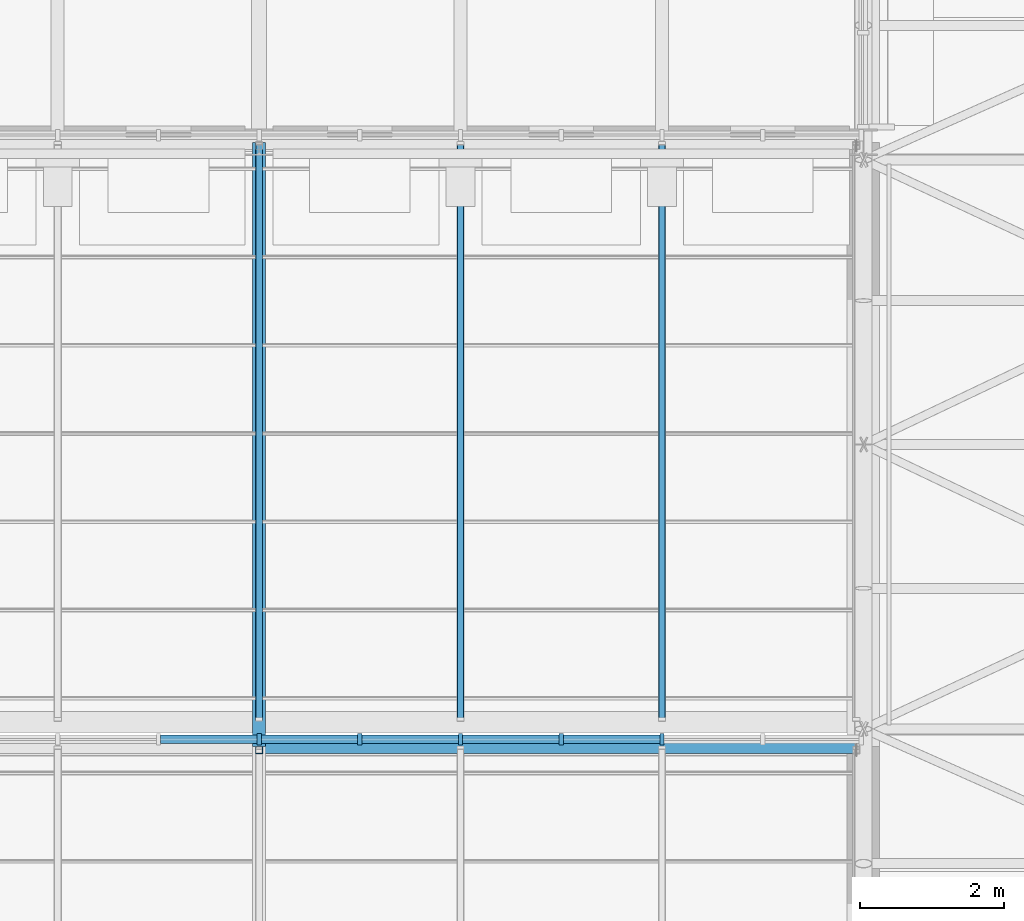
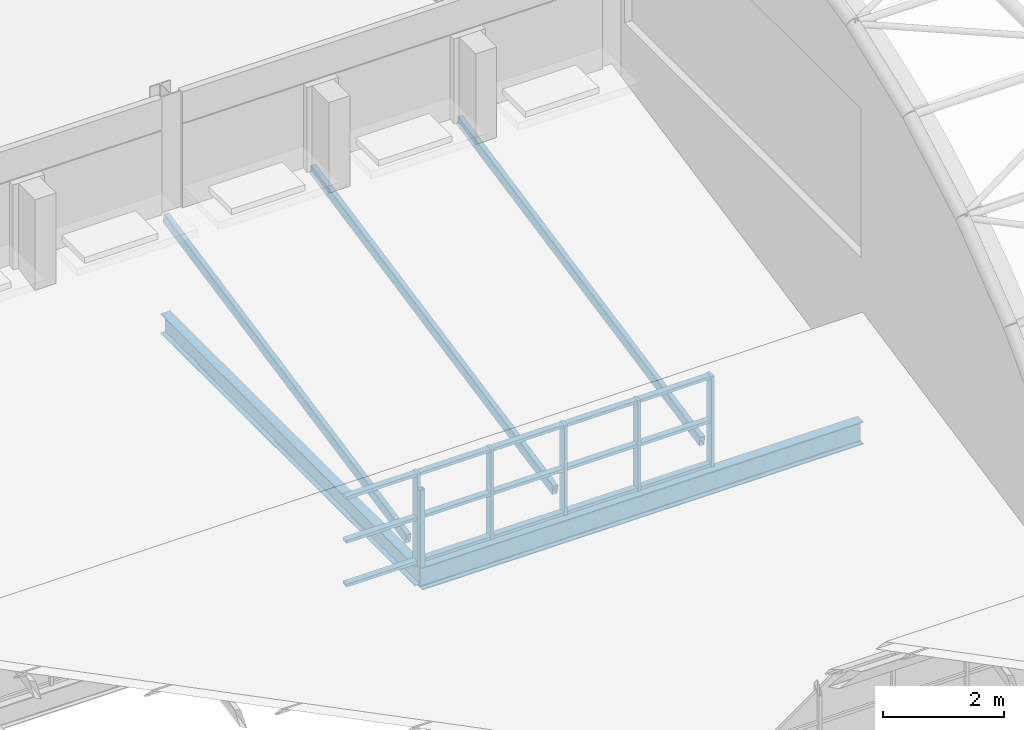
# One storey, part 35 of 121: 24 members, 2 beams, 1 element without a shape of its own.
"""IFC4 building model written with IfcOpenShell, lengths in metres."""

from ifc_helpers import new_model, si_unit, direction, frame, origin, origin_2d, place, context, subcontext, project, spatial, rectangle, hollow_rectangle, i_section, extrude, material, layer, layer_set, material_profile, profile_set, type_object, element, aggregate, save


model = new_model("IFC4")

# Units and contexts
model_context = context("Model", 3, precision=1e-05, world=origin(), true_north=direction((0.0, 1.0)))
body_context = subcontext(model_context, "Body", "Model", "MODEL_VIEW")
ifc_project = project(units=[si_unit("LENGTHUNIT", "METRE"), si_unit("AREAUNIT", "SQUARE_METRE"), si_unit("VOLUMEUNIT", "CUBIC_METRE"), si_unit("PLANEANGLEUNIT", "RADIAN"), si_unit("MASSUNIT", "GRAM", prefix="KILO")], contexts=[model_context])

# Site, building, storey
site_placement = place(None, origin())
site = spatial("IfcSite", under=ifc_project, at=site_placement, CompositionType="ELEMENT")
building_placement = place(site_placement, origin())
building = spatial("IfcBuilding", under=site, at=building_placement, Name="Ardhachandra Cancer Care Centre", CompositionType="ELEMENT")
storey_placement = place(building_placement, frame((0.0, 0.0, 9.0)))
storey = spatial("IfcBuildingStorey", under=building, at=storey_placement, Name="L02", CompositionType="ELEMENT", Elevation=9.0)

# Beams
ifc_material_1 = material(Name="Steel E350 (IS 2062)", Category="steel")
ifc_material_profile_1 = material_profile(ifc_material_1, i_section(OverallWidth=0.179931640625, OverallDepth=0.39990234375, WebThickness=0.008544921875, FlangeThickness=0.013427734375, FilletRadius=0.02099609375, at=origin_2d()), Name="NPB 400x180x66.30")
ifc_profile_set_1 = profile_set([ifc_material_profile_1], Name="Steel E350 (IS 2062)")
beam_type_1 = type_object("IfcBeamType", Name="Beam NPB 400x180x66.30", PredefinedType="BEAM", material=ifc_profile_set_1)
beam_1_placement = place(storey_placement, frame((36.0, 63.0, -0.199951171875), z_axis=(0.0, 1.0, 0.0), x_axis=(-1.0, 0.0, 0.0)))
element("IfcBeam", 1, at=beam_1_placement, inside=storey, type_object=beam_type_1, Name="Roof girder G4-H4", PredefinedType="BEAM", context=body_context, shape_type="SweptSolid", body=[
    extrude(i_section(OverallWidth=0.179931640625, OverallDepth=0.39990234375, WebThickness=0.008544921875, FlangeThickness=0.013427734375, FilletRadius=0.02099609375, at=origin_2d()), origin(), (0.0, 0.0, 1.0), 8.39990234375),
])
ifc_material_2 = material(Name="Steel E350 (IS 2062)", Category="steel")
ifc_material_profile_2 = material_profile(ifc_material_2, i_section(OverallWidth=0.19189453125, OverallDepth=0.4560546875, WebThickness=0.010986328125, FlangeThickness=0.017578125, FilletRadius=0.02099609375, at=origin_2d()), Name="NPB 450x190x92.36")
ifc_profile_set_2 = profile_set([ifc_material_profile_2], Name="Steel E350 (IS 2062)")
beam_type_2 = type_object("IfcBeamType", Name="Beam NPB 450x190x92.36", PredefinedType="BEAM", material=ifc_profile_set_2)
beam_2_placement = place(storey_placement, frame((36.0, 63.0, -0.22802734375), z_axis=(1.0, 0.0, 0.0), x_axis=(0.0, 1.0, 0.0)))
element("IfcBeam", 2, at=beam_2_placement, inside=storey, type_object=beam_type_2, Name="Roof girder G4-G5", PredefinedType="BEAM", context=body_context, shape_type="SweptSolid", body=[
    extrude(i_section(OverallWidth=0.19189453125, OverallDepth=0.4560546875, WebThickness=0.010986328125, FlangeThickness=0.017578125, FilletRadius=0.02099609375, at=origin_2d()), origin(), (0.0, 0.0, 1.0), 8.39990234375),
])

# Curtain wall, members
ifc_material_3 = material(Name="Aluminium extrusion", Category="aluminium")
ifc_layer = layer(ifc_material_3, 0.14990234375)
ifc_layer_set = layer_set([ifc_layer], Name="Aluminium extrusion")
curtain_wall_type = type_object("IfcCurtainWallType", Name="Curtain wall run", PredefinedType="NOTDEFINED", material=ifc_layer_set)
curtain_wall_placement = place(storey_placement, origin())
curtain_wall = element("IfcCurtainWall", 3, at=curtain_wall_placement, inside=storey, type_object=curtain_wall_type, Name="Curtain wall L02 n/0010800_0063100", PredefinedType="NOTDEFINED")
ifc_material_4 = material(Name="Aluminium extrusion", Category="aluminium")
ifc_material_profile_3 = material_profile(ifc_material_4, rectangle(XDim=0.159912109375, YDim=0.06005859375, at=origin_2d()), Name="Curtain wall mullion 60 x 160")
ifc_profile_set_3 = profile_set([ifc_material_profile_3], Name="Aluminium extrusion")
member_type_1 = type_object("IfcMemberType", Name="Curtain wall mullion 60 x 160", PredefinedType="MULLION", material=ifc_profile_set_3)
member_1_placement = place(storey_placement, frame((36.0, 63.10009765625, 0.0), z_axis=(0.0, 0.0, 1.0), x_axis=(0.0, 1.0, 0.0)))
member_1 = element("IfcMember", 4, at=member_1_placement, type_object=member_type_1, Name="CW mullion 19", PredefinedType="MULLION", context=body_context, shape_type="SweptSolid", body=[
    extrude(rectangle(XDim=0.159912109375, YDim=0.06005859375, at=origin_2d()), origin(), (0.0, 0.0, 1.0), 1.820068359375),
])
member_2_placement = place(storey_placement, frame((37.39990234375, 63.10009765625, 0.0), z_axis=(0.0, 0.0, 1.0), x_axis=(0.0, 1.0, 0.0)))
member_2 = element("IfcMember", 5, at=member_2_placement, type_object=member_type_1, Name="CW mullion 20", PredefinedType="MULLION", context=body_context, shape_type="SweptSolid", body=[
    extrude(rectangle(XDim=0.159912109375, YDim=0.06005859375, at=origin_2d()), origin(), (0.0, 0.0, 1.0), 1.820068359375),
])
member_3_placement = place(storey_placement, frame((38.800048828125, 63.10009765625, 0.0), z_axis=(0.0, 0.0, 1.0), x_axis=(0.0, 1.0, 0.0)))
member_3 = element("IfcMember", 6, at=member_3_placement, type_object=member_type_1, Name="CW mullion 21", PredefinedType="MULLION", context=body_context, shape_type="SweptSolid", body=[
    extrude(rectangle(XDim=0.159912109375, YDim=0.06005859375, at=origin_2d()), origin(), (0.0, 0.0, 1.0), 1.820068359375),
])
member_4_placement = place(storey_placement, frame((40.199951171875, 63.10009765625, 0.0), z_axis=(0.0, 0.0, 1.0), x_axis=(0.0, 1.0, 0.0)))
member_4 = element("IfcMember", 7, at=member_4_placement, type_object=member_type_1, Name="CW mullion 22", PredefinedType="MULLION", context=body_context, shape_type="SweptSolid", body=[
    extrude(rectangle(XDim=0.159912109375, YDim=0.06005859375, at=origin_2d()), origin(), (0.0, 0.0, 1.0), 1.820068359375),
])
member_5_placement = place(storey_placement, frame((41.60009765625, 63.10009765625, 0.0), z_axis=(0.0, 0.0, 1.0), x_axis=(0.0, 1.0, 0.0)))
member_5 = element("IfcMember", 8, at=member_5_placement, type_object=member_type_1, Name="CW mullion 23", PredefinedType="MULLION", context=body_context, shape_type="SweptSolid", body=[
    extrude(rectangle(XDim=0.159912109375, YDim=0.06005859375, at=origin_2d()), origin(), (0.0, 0.0, 1.0), 1.820068359375),
])
ifc_material_5 = material(Name="Aluminium extrusion", Category="aluminium")
ifc_material_profile_4 = material_profile(ifc_material_5, rectangle(XDim=0.1201171875, YDim=0.06005859375, at=origin_2d()), Name="Curtain wall transom 60 x 120")
ifc_profile_set_4 = profile_set([ifc_material_profile_4], Name="Aluminium extrusion")
member_type_2 = type_object("IfcMemberType", Name="Curtain wall transom 60 x 120", PredefinedType="USERDEFINED", material=ifc_profile_set_4)
member_6_placement = place(storey_placement, frame((34.6298828125, 63.10009765625, 0.030029296875), z_axis=(1.0, 0.0, 0.0), x_axis=(0.0, 1.0, 0.0)))
member_6 = element("IfcMember", 9, at=member_6_placement, type_object=member_type_2, Name="CW transom 18.1", ObjectType="TRANSOM", PredefinedType="USERDEFINED", context=body_context, shape_type="SweptSolid", body=[
    extrude(rectangle(XDim=0.1201171875, YDim=0.06005859375, at=origin_2d()), origin(), (0.0, 0.0, 1.0), 1.340087890625),
])
member_7_placement = place(storey_placement, frame((34.6298828125, 63.10009765625, 0.909912109375), z_axis=(1.0, 0.0, 0.0), x_axis=(0.0, 1.0, 0.0)))
member_7 = element("IfcMember", 10, at=member_7_placement, type_object=member_type_2, Name="CW transom 18.2", ObjectType="TRANSOM", PredefinedType="USERDEFINED", context=body_context, shape_type="SweptSolid", body=[
    extrude(rectangle(XDim=0.1201171875, YDim=0.06005859375, at=origin_2d()), origin(), (0.0, 0.0, 1.0), 1.340087890625),
])
member_8_placement = place(storey_placement, frame((34.6298828125, 63.10009765625, 1.7900390625), z_axis=(1.0, 0.0, 0.0), x_axis=(0.0, 1.0, 0.0)))
member_8 = element("IfcMember", 11, at=member_8_placement, type_object=member_type_2, Name="CW transom 18.3", ObjectType="TRANSOM", PredefinedType="USERDEFINED", context=body_context, shape_type="SweptSolid", body=[
    extrude(rectangle(XDim=0.1201171875, YDim=0.06005859375, at=origin_2d()), origin(), (0.0, 0.0, 1.0), 1.340087890625),
])
member_9_placement = place(storey_placement, frame((36.030029296875, 63.10009765625, 0.030029296875), z_axis=(1.0, 0.0, 0.0), x_axis=(0.0, 1.0, 0.0)))
member_9 = element("IfcMember", 12, at=member_9_placement, type_object=member_type_2, Name="CW transom 19.1", ObjectType="TRANSOM", PredefinedType="USERDEFINED", context=body_context, shape_type="SweptSolid", body=[
    extrude(rectangle(XDim=0.1201171875, YDim=0.06005859375, at=origin_2d()), origin(), (0.0, 0.0, 1.0), 1.340087890625),
])
member_10_placement = place(storey_placement, frame((36.030029296875, 63.10009765625, 0.909912109375), z_axis=(1.0, 0.0, 0.0), x_axis=(0.0, 1.0, 0.0)))
member_10 = element("IfcMember", 13, at=member_10_placement, type_object=member_type_2, Name="CW transom 19.2", ObjectType="TRANSOM", PredefinedType="USERDEFINED", context=body_context, shape_type="SweptSolid", body=[
    extrude(rectangle(XDim=0.1201171875, YDim=0.06005859375, at=origin_2d()), origin(), (0.0, 0.0, 1.0), 1.340087890625),
])
member_11_placement = place(storey_placement, frame((36.030029296875, 63.10009765625, 1.7900390625), z_axis=(1.0, 0.0, 0.0), x_axis=(0.0, 1.0, 0.0)))
member_11 = element("IfcMember", 14, at=member_11_placement, type_object=member_type_2, Name="CW transom 19.3", ObjectType="TRANSOM", PredefinedType="USERDEFINED", context=body_context, shape_type="SweptSolid", body=[
    extrude(rectangle(XDim=0.1201171875, YDim=0.06005859375, at=origin_2d()), origin(), (0.0, 0.0, 1.0), 1.340087890625),
])
member_12_placement = place(storey_placement, frame((37.429931640625, 63.10009765625, 0.030029296875), z_axis=(1.0, 0.0, 0.0), x_axis=(0.0, 1.0, 0.0)))
member_12 = element("IfcMember", 15, at=member_12_placement, type_object=member_type_2, Name="CW transom 20.1", ObjectType="TRANSOM", PredefinedType="USERDEFINED", context=body_context, shape_type="SweptSolid", body=[
    extrude(rectangle(XDim=0.1201171875, YDim=0.06005859375, at=origin_2d()), origin(), (0.0, 0.0, 1.0), 1.340087890625),
])
member_13_placement = place(storey_placement, frame((37.429931640625, 63.10009765625, 0.909912109375), z_axis=(1.0, 0.0, 0.0), x_axis=(0.0, 1.0, 0.0)))
member_13 = element("IfcMember", 16, at=member_13_placement, type_object=member_type_2, Name="CW transom 20.2", ObjectType="TRANSOM", PredefinedType="USERDEFINED", context=body_context, shape_type="SweptSolid", body=[
    extrude(rectangle(XDim=0.1201171875, YDim=0.06005859375, at=origin_2d()), origin(), (0.0, 0.0, 1.0), 1.340087890625),
])
member_14_placement = place(storey_placement, frame((37.429931640625, 63.10009765625, 1.7900390625), z_axis=(1.0, 0.0, 0.0), x_axis=(0.0, 1.0, 0.0)))
member_14 = element("IfcMember", 17, at=member_14_placement, type_object=member_type_2, Name="CW transom 20.3", ObjectType="TRANSOM", PredefinedType="USERDEFINED", context=body_context, shape_type="SweptSolid", body=[
    extrude(rectangle(XDim=0.1201171875, YDim=0.06005859375, at=origin_2d()), origin(), (0.0, 0.0, 1.0), 1.340087890625),
])
member_15_placement = place(storey_placement, frame((38.830078125, 63.10009765625, 0.030029296875), z_axis=(1.0, 0.0, 0.0), x_axis=(0.0, 1.0, 0.0)))
member_15 = element("IfcMember", 18, at=member_15_placement, type_object=member_type_2, Name="CW transom 21.1", ObjectType="TRANSOM", PredefinedType="USERDEFINED", context=body_context, shape_type="SweptSolid", body=[
    extrude(rectangle(XDim=0.1201171875, YDim=0.06005859375, at=origin_2d()), origin(), (0.0, 0.0, 1.0), 1.33984375),
])
member_16_placement = place(storey_placement, frame((38.830078125, 63.10009765625, 0.909912109375), z_axis=(1.0, 0.0, 0.0), x_axis=(0.0, 1.0, 0.0)))
member_16 = element("IfcMember", 19, at=member_16_placement, type_object=member_type_2, Name="CW transom 21.2", ObjectType="TRANSOM", PredefinedType="USERDEFINED", context=body_context, shape_type="SweptSolid", body=[
    extrude(rectangle(XDim=0.1201171875, YDim=0.06005859375, at=origin_2d()), origin(), (0.0, 0.0, 1.0), 1.33984375),
])
member_17_placement = place(storey_placement, frame((38.830078125, 63.10009765625, 1.7900390625), z_axis=(1.0, 0.0, 0.0), x_axis=(0.0, 1.0, 0.0)))
member_17 = element("IfcMember", 20, at=member_17_placement, type_object=member_type_2, Name="CW transom 21.3", ObjectType="TRANSOM", PredefinedType="USERDEFINED", context=body_context, shape_type="SweptSolid", body=[
    extrude(rectangle(XDim=0.1201171875, YDim=0.06005859375, at=origin_2d()), origin(), (0.0, 0.0, 1.0), 1.33984375),
])
member_18_placement = place(storey_placement, frame((40.22998046875, 63.10009765625, 0.030029296875), z_axis=(1.0, 0.0, 0.0), x_axis=(0.0, 1.0, 0.0)))
member_18 = element("IfcMember", 21, at=member_18_placement, type_object=member_type_2, Name="CW transom 22.1", ObjectType="TRANSOM", PredefinedType="USERDEFINED", context=body_context, shape_type="SweptSolid", body=[
    extrude(rectangle(XDim=0.1201171875, YDim=0.06005859375, at=origin_2d()), origin(), (0.0, 0.0, 1.0), 1.340087890625),
])
member_19_placement = place(storey_placement, frame((40.22998046875, 63.10009765625, 0.909912109375), z_axis=(1.0, 0.0, 0.0), x_axis=(0.0, 1.0, 0.0)))
member_19 = element("IfcMember", 22, at=member_19_placement, type_object=member_type_2, Name="CW transom 22.2", ObjectType="TRANSOM", PredefinedType="USERDEFINED", context=body_context, shape_type="SweptSolid", body=[
    extrude(rectangle(XDim=0.1201171875, YDim=0.06005859375, at=origin_2d()), origin(), (0.0, 0.0, 1.0), 1.340087890625),
])
member_20_placement = place(storey_placement, frame((40.22998046875, 63.10009765625, 1.7900390625), z_axis=(1.0, 0.0, 0.0), x_axis=(0.0, 1.0, 0.0)))
member_20 = element("IfcMember", 23, at=member_20_placement, type_object=member_type_2, Name="CW transom 22.3", ObjectType="TRANSOM", PredefinedType="USERDEFINED", context=body_context, shape_type="SweptSolid", body=[
    extrude(rectangle(XDim=0.1201171875, YDim=0.06005859375, at=origin_2d()), origin(), (0.0, 0.0, 1.0), 1.340087890625),
])
aggregate(curtain_wall, [member_1, member_2, member_3, member_4, member_5, member_6, member_7, member_8, member_9, member_10, member_11, member_12, member_13, member_14, member_15, member_16, member_17, member_18, member_19, member_20])

# Members
ifc_material_6 = material(Name="Steel E350 (IS 2062)", Category="steel")
ifc_material_profile_5 = material_profile(ifc_material_6, hollow_rectangle(XDim=0.10009765625, YDim=0.199951171875, WallThickness=0.006103515625, InnerFilletRadius=0.006103515625, OuterFilletRadius=0.011962890625, at=origin_2d()), Name="RHS 200x100x6.0")
ifc_profile_set_5 = profile_set([ifc_material_profile_5], Name="Steel E350 (IS 2062)")
member_type_3 = type_object("IfcMemberType", Name="Roof rafter RHS 200x100x6.0", PredefinedType="RAFTER", material=ifc_profile_set_5)
for number, where, z_axis, x_axis, name in (
    (24, (36.0, 63.380126953125, 0.298095703125), (0.0, 0.980109665583, 0.198456653782), (-1.0, 0.0, 0.0), "Rafter T5a.7"),
    (25, (38.800048828125, 63.380126953125, 0.298095703125), (0.0, 0.980109665583, 0.198456653782), (-1.0, 0.0, 0.0), "Rafter T5a.8"),
    (26, (41.60009765625, 63.380126953125, 0.298095703125), (0.0, 0.980109665583, 0.198456653782), (-1.0, 0.0, 0.0), "Rafter T5a.9"),
):
    element("IfcMember", number, at=place(storey_placement, frame(where, z_axis=z_axis, x_axis=x_axis)), inside=storey, type_object=member_type_3, Name=name, PredefinedType="RAFTER", context=body_context, shape_type="SweptSolid", body=[
        extrude(hollow_rectangle(XDim=0.10009765625, YDim=0.199951171875, WallThickness=0.006103515625, InnerFilletRadius=0.006103515625, OuterFilletRadius=0.011962890625, at=origin_2d()), origin(), (0.0, 0.0, 1.0), 8.162353515625),
    ])
ifc_material_7 = material(Name="Steel E350 (IS 2062)", Category="steel")
ifc_material_profile_6 = material_profile(ifc_material_7, hollow_rectangle(XDim=0.10009765625, YDim=0.10009765625, WallThickness=0.0048828125, InnerFilletRadius=0.0048828125, OuterFilletRadius=0.010009765625, at=origin_2d()), Name="SHS 100x100x5.0")
ifc_profile_set_6 = profile_set([ifc_material_profile_6], Name="Steel E350 (IS 2062)")
member_type_4 = type_object("IfcMemberType", Name="Sawtooth ridge post SHS 100x100x5.0", PredefinedType="POST", material=ifc_profile_set_6)
member_21_placement = place(storey_placement, frame((36.0, 62.949951171875, 0.0), z_axis=(0.0, 0.0, 1.0), x_axis=(1.0, 0.0, 0.0)))
element("IfcMember", 27, at=member_21_placement, inside=storey, type_object=member_type_4, Name="Ridge post T4a.4", PredefinedType="POST", context=body_context, shape_type="SweptSolid", body=[
    extrude(hollow_rectangle(XDim=0.10009765625, YDim=0.10009765625, WallThickness=0.0048828125, InnerFilletRadius=0.0048828125, OuterFilletRadius=0.010009765625, at=origin_2d()), origin(), (0.0, 0.0, 1.0), 1.5673828125),
])

save(model, "model.ifc")
